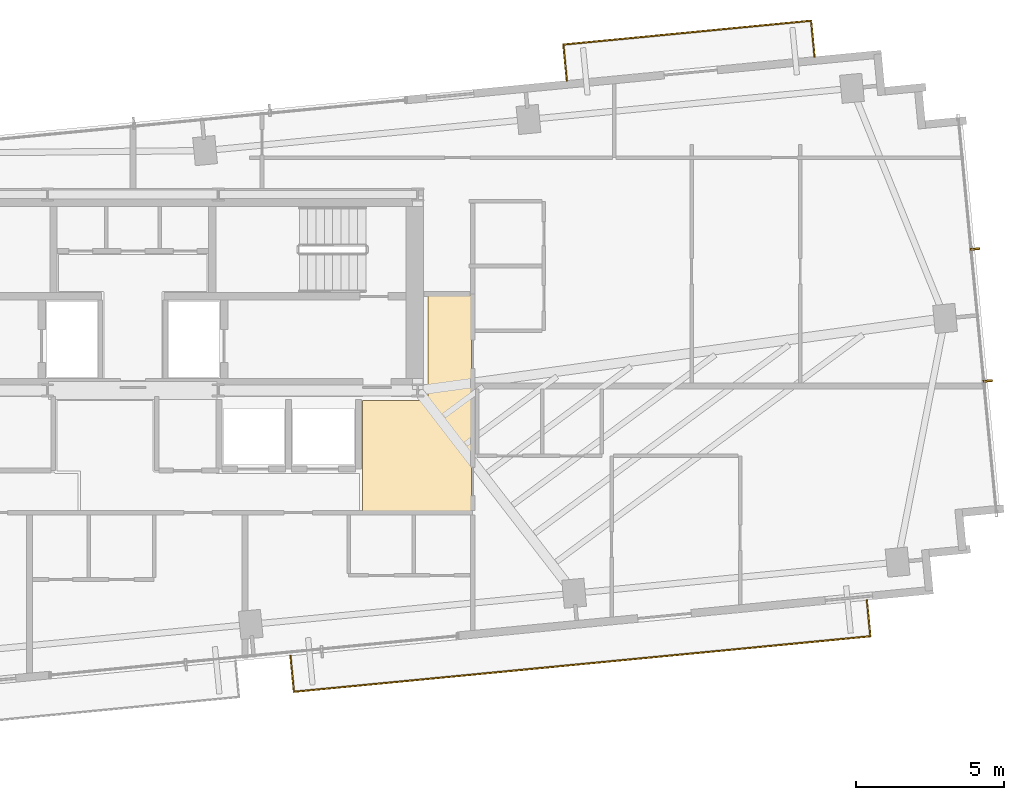
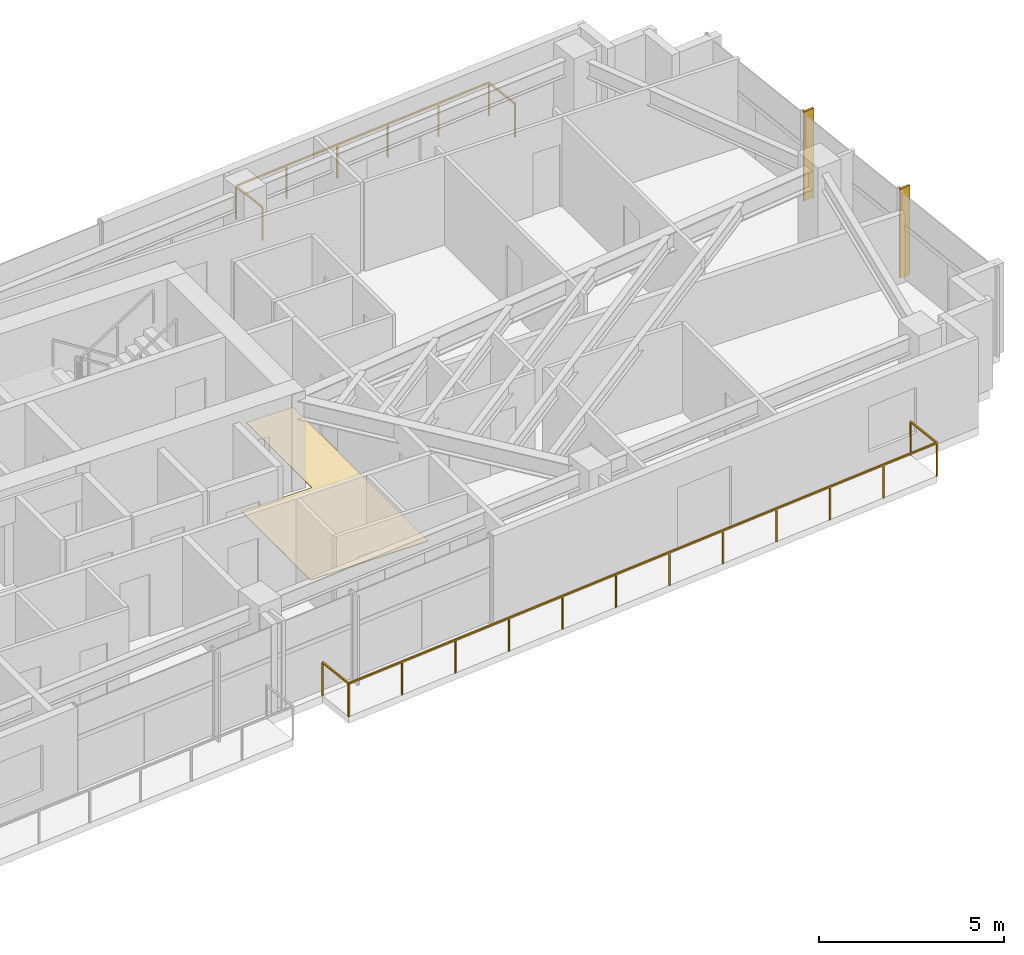
# One storey, part 18 of 18: 2 railings, 2 shading devices, 1 covering.
"""IFC4 building model written with IfcOpenShell, lengths in metres."""

import ifcopenshell
import ifcopenshell.guid

model = None  # the IFC model being written
_history = None  # IfcOwnerHistory: only IFC2X3 demands one
_inside = {}  # id of a spatial element -> (the spatial element, [elements in it])
_under = {}  # id of a project, library or spatial element -> (it, [spatial elements below it])
_declared = {}  # id of a project -> (the project, [libraries it declares])
_typed = {}  # id of a type object -> (the type object, [elements of that type])
_made_of = {}  # id of a material, layer set ... -> (it, [elements and type objects made of it])


def new_model(schema):
    """Start an empty IFC model of exactly this schema.

    Asked for "IFC4X3", IfcOpenShell would pick the latest addendum, in which some entities
    have other attributes; the version numbers below select the first issue.
    IFC2X3 requires an IfcOwnerHistory on every rooted entity: one is made here for all.
    """
    global model, _history
    if schema == "IFC4X3":
        model = ifcopenshell.file(schema_version=(4, 3, 0, 0))
    else:
        model = ifcopenshell.file(schema=schema)
    _inside.clear()
    _under.clear()
    _declared.clear()
    _typed.clear()
    _made_of.clear()
    _history = None
    if model.schema == "IFC2X3":
        org = make("IfcOrganization", Name="unknown")
        user = make(
            "IfcPersonAndOrganization",
            ThePerson=make("IfcPerson", FamilyName="unknown"),
            TheOrganization=org,
        )
        app = make(
            "IfcApplication",
            ApplicationDeveloper=org,
            Version="unknown",
            ApplicationFullName="unknown",
            ApplicationIdentifier="unknown",
        )
        _history = make(
            "IfcOwnerHistory",
            OwningUser=user,
            OwningApplication=app,
            ChangeAction="ADDED",
            CreationDate=0,
        )
    return model


def make(cls, **values):
    """One entity of the class cls with the attributes given. An attribute that is None is left unset."""
    return model.create_entity(
        cls, **{name: value for name, value in values.items() if value is not None}
    )


def rooted(cls, **values):
    """An entity with a GlobalId (a new one), such as an element, a storey or a relation."""
    return make(cls, GlobalId=ifcopenshell.guid.new(), OwnerHistory=_history, **values)


def si_unit(unit_type, name, prefix=None):
    """IfcSIUnit, for example si_unit("LENGTHUNIT", "METRE", prefix="MILLI")."""
    return make("IfcSIUnit", UnitType=unit_type, Prefix=prefix, Name=name)


def assignment(units):
    """IfcUnitAssignment: the units of a project."""
    return None if units is None else make("IfcUnitAssignment", Units=units)


def point(xyz):
    """IfcCartesianPoint."""
    return None if xyz is None else make("IfcCartesianPoint", Coordinates=xyz)


def direction(xyz):
    """IfcDirection."""
    return None if xyz is None else make("IfcDirection", DirectionRatios=xyz)


def frame(location, z_axis=None, x_axis=None):
    """IfcAxis2Placement3D, a coordinate frame: its origin and axes. An axis left out is left unset."""
    return make(
        "IfcAxis2Placement3D",
        Location=point(location),
        Axis=direction(z_axis),
        RefDirection=direction(x_axis),
    )


def frame_2d(location, x_axis=None):
    """IfcAxis2Placement2D, a coordinate frame in the plane: its origin and x axis."""
    return make(
        "IfcAxis2Placement2D", Location=point(location), RefDirection=direction(x_axis)
    )


def origin():
    """The frame at (0, 0, 0) with its axes left unset."""
    return frame((0.0, 0.0, 0.0))


def origin_2d():
    """The frame at (0, 0) in the plane with its x axis left unset."""
    return frame_2d((0.0, 0.0))


def place(relative_to, where):
    """IfcLocalPlacement: puts the frame where relative to a parent placement (None: the world)."""
    return make(
        "IfcLocalPlacement", PlacementRelTo=relative_to, RelativePlacement=where
    )


def context(
    kind, dimensions, precision=None, world=None, true_north=None, identifier=None
):
    """IfcGeometricRepresentationContext, for example the 3D "Model" context."""
    return make(
        "IfcGeometricRepresentationContext",
        ContextIdentifier=identifier,
        ContextType=kind,
        CoordinateSpaceDimension=dimensions,
        Precision=precision,
        WorldCoordinateSystem=world,
        TrueNorth=true_north,
    )


def subcontext(parent, identifier, kind, view, scale=None):
    """IfcGeometricRepresentationSubContext, for example "Body" below "Model"."""
    return make(
        "IfcGeometricRepresentationSubContext",
        ContextIdentifier=identifier,
        ContextType=kind,
        ParentContext=parent,
        TargetScale=scale,
        TargetView=view,
    )


def project(units=None, contexts=None):
    """IfcProject with its units and contexts."""
    return rooted(
        "IfcProject",
        Name="project",
        RepresentationContexts=contexts,
        UnitsInContext=assignment(units),
    )


def spatial(cls, under=None, at=None, **own):
    """A site, building, storey or space (cls), placed at a placement, below another one or the project."""
    s = rooted(cls, ObjectPlacement=at, **own)
    if under is not None:
        _under.setdefault(under.id(), (under, []))[1].append(s)
    return s


def polyline(points):
    """IfcPolyline through the points."""
    return make("IfcPolyline", Points=[point(p) for p in points])


def profile(cls, at=None, kind="AREA", **sizes):
    """A parametric profile (cls). Its sizes go by their IFC names, for example OverallWidth=200.0."""
    return make(cls, ProfileType=kind, Position=at, **sizes)


def rectangle(**sizes):
    """IfcRectangleProfileDef."""
    return profile("IfcRectangleProfileDef", **sizes)


def outline(outer, holes=None, kind="AREA"):
    """IfcArbitraryClosedProfileDef: a profile drawn as a closed curve; with holes, ...WithVoids."""
    if holes is None:
        return make("IfcArbitraryClosedProfileDef", ProfileType=kind, OuterCurve=outer)
    return make(
        "IfcArbitraryProfileDefWithVoids",
        ProfileType=kind,
        OuterCurve=outer,
        InnerCurves=holes,
    )


def extrude(swept, where, along, depth):
    """IfcExtrudedAreaSolid: the profile swept, set in the frame where, extruded along a direction by depth."""
    return make(
        "IfcExtrudedAreaSolid",
        SweptArea=swept,
        Position=where,
        ExtrudedDirection=direction(along),
        Depth=depth,
    )


def shape(context_of_items, identifier, shape_type, items):
    """IfcShapeRepresentation: the items that make up one representation, for example the "Body"."""
    return make(
        "IfcShapeRepresentation",
        ContextOfItems=context_of_items,
        RepresentationIdentifier=identifier,
        RepresentationType=shape_type,
        Items=items,
    )


def source(mapping_origin, context_of_items, identifier, shape_type, items):
    """IfcRepresentationMap: a shape defined once, which mapped items show again and again."""
    return make(
        "IfcRepresentationMap",
        MappingOrigin=mapping_origin,
        MappedRepresentation=shape(context_of_items, identifier, shape_type, items),
    )


def transform(
    local_origin,
    x_axis=None,
    y_axis=None,
    z_axis=None,
    scale=None,
    scale2=None,
    scale3=None,
    uniform=True,
):
    """IfcCartesianTransformationOperator3D, or its non-uniform kind. x_axis, y_axis, z_axis: its Axis1, 2, 3."""
    if uniform:
        return make(
            "IfcCartesianTransformationOperator3D",
            Axis1=direction(x_axis),
            Axis2=direction(y_axis),
            LocalOrigin=point(local_origin),
            Scale=scale,
            Axis3=direction(z_axis),
        )
    return make(
        "IfcCartesianTransformationOperator3DnonUniform",
        Axis1=direction(x_axis),
        Axis2=direction(y_axis),
        LocalOrigin=point(local_origin),
        Scale=scale,
        Axis3=direction(z_axis),
        Scale2=scale2,
        Scale3=scale3,
    )


def mapped(mapping_source, mapping_target):
    """IfcMappedItem: shows the shape of a source again, moved by a transform."""
    return make(
        "IfcMappedItem", MappingSource=mapping_source, MappingTarget=mapping_target
    )


def material(Name=None, Category=None):
    """IfcMaterial."""
    return make("IfcMaterial", Name=Name, Category=Category)


def layer(
    of_material, thickness, ventilated=None, Name=None, Category=None, Priority=None
):
    """IfcMaterialLayer: one layer of a wall or slab, of a material (None: an air gap)."""
    return make(
        "IfcMaterialLayer",
        Material=of_material,
        LayerThickness=thickness,
        IsVentilated=ventilated,
        Name=Name,
        Category=Category,
        Priority=Priority,
    )


def layer_set(layers, Name=None):
    """IfcMaterialLayerSet."""
    return make("IfcMaterialLayerSet", MaterialLayers=layers, LayerSetName=Name)


def made_of(thing, what):
    """Note that an element or type object is made of a material, layer set ...; save() writes the relation."""
    if what is not None:
        _made_of.setdefault(what.id(), (what, []))[1].append(thing)
    return thing


def type_object(cls, material=None, **own):
    """A type object (cls), such as IfcWallType, which elements share."""
    return made_of(rooted(cls, **own), material)


def type_shapes(of_type, sources):
    """Give a type object the sources (RepresentationMaps) that its elements show as mapped items."""
    of_type.RepresentationMaps = sources


def element(
    cls,
    number,
    at=None,
    inside=None,
    cuts=None,
    type_object=None,
    material=None,
    context=None,
    identifier="Body",
    shape_type=None,
    held_by="IfcProductDefinitionShape",
    body=None,
    shapes=None,
    **own,
):
    """One element of the class cls, such as IfcWall. Its Tag is "e" and its number.

    at: its placement. inside: the storey or other place that contains it. cuts: it is an
    opening in that element (IfcRelVoidsElement). A single representation is given by context,
    identifier, shape_type and body (its items); several are given by shapes. held_by: the class
    of the entity that holds the representations. save() writes the other relations.
    """
    e = rooted(cls, Tag="e%d" % number, ObjectPlacement=at, **own)
    if body is not None:
        shapes = [shape(context, identifier, shape_type, body)]
    if shapes is not None:
        e.Representation = make(held_by, Representations=shapes)
    if inside is not None:
        _inside.setdefault(inside.id(), (inside, []))[1].append(e)
    if cuts is not None:
        rooted(
            "IfcRelVoidsElement", RelatingBuildingElement=cuts, RelatedOpeningElement=e
        )
    if type_object is not None:
        _typed.setdefault(type_object.id(), (type_object, []))[1].append(e)
    return made_of(e, material)


def aggregate(whole, parts):
    """IfcRelAggregates: a whole, such as a stair, and the parts it consists of."""
    return rooted("IfcRelAggregates", RelatingObject=whole, RelatedObjects=parts)


def save(model, path):
    """Write the relations noted so far, then the file.

    IfcRelAggregates (storeys below a building ...), IfcRelContainedInSpatialStructure (elements
    in a storey), IfcRelDefinesByType, IfcRelAssociatesMaterial and IfcRelDeclares: one each for
    every whole, place, type object, material and project.
    """
    for whole, parts in _under.values():
        aggregate(whole, parts)
    for where, things in _inside.values():
        rooted(
            "IfcRelContainedInSpatialStructure",
            RelatedElements=things,
            RelatingStructure=where,
        )
    for kind, things in _typed.values():
        rooted("IfcRelDefinesByType", RelatedObjects=things, RelatingType=kind)
    for what, things in _made_of.values():
        rooted("IfcRelAssociatesMaterial", RelatedObjects=things, RelatingMaterial=what)
    for by, libraries in _declared.values():
        rooted("IfcRelDeclares", RelatingContext=by, RelatedDefinitions=libraries)
    model.write(path)


model = new_model("IFC4")

# Units and contexts
model_context = context("Model", 3, precision=1e-05, world=origin(), true_north=direction((0.0, 1.0)))
body_context = subcontext(model_context, "Body", "Model", "MODEL_VIEW")
ifc_project = project(units=[si_unit("LENGTHUNIT", "METRE"), si_unit("AREAUNIT", "SQUARE_METRE"), si_unit("VOLUMEUNIT", "CUBIC_METRE"), si_unit("PLANEANGLEUNIT", "RADIAN"), si_unit("MASSUNIT", "GRAM", prefix="KILO")], contexts=[model_context])

# Site, building, storey
site_placement = place(None, origin())
site = spatial("IfcSite", under=ifc_project, at=site_placement, CompositionType="ELEMENT")
building_placement = place(site_placement, origin())
building = spatial("IfcBuilding", under=site, at=building_placement, Name="Astriad Promenade Condominiums", CompositionType="ELEMENT")
storey_placement = place(building_placement, frame((0.0, 0.0, 192.199951171875)))
storey = spatial("IfcBuildingStorey", under=building, at=storey_placement, Name="L55", CompositionType="ELEMENT", Elevation=192.199951171875)

# Covering
ifc_material_1 = material(Name="Polished Lakefront Terrazzo Flooring")
ifc_layer = layer(ifc_material_1, 0.02001953125)
ifc_layer_set = layer_set([ifc_layer], Name="Polished Lakefront Terrazzo Flooring")
covering_type = type_object("IfcCoveringType", Name="COV-FLOR-TERRAZZO-20", PredefinedType="FLOORING", material=ifc_layer_set)
covering_placement = place(storey_placement, origin())
element("IfcCovering", 1, at=covering_placement, inside=storey, type_object=covering_type, Name="FLR-L55-COR-2", PredefinedType="FLOORING", context=body_context, shape_type="SweptSolid", body=[
    extrude(outline(polyline([(43.72998046875, 14.62353515625), (43.73095703125, 14.62451171875), (43.7333984375, 14.627685546875), (43.7353515625, 14.631103515625), (43.737060546875, 14.634765625), (43.73828125, 14.638427734375), (43.7392578125, 14.64208984375), (43.73974609375, 14.64599609375), (43.739990234375, 14.64990234375), (43.739990234375, 17.06005859375), (45.89990234375, 17.06005859375), (45.90380859375, 17.060302734375), (45.90771484375, 17.060791015625), (45.91162109375, 17.061767578125), (45.915283203125, 17.06298828125), (45.9189453125, 17.064697265625), (45.922119140625, 17.066650390625), (45.92529296875, 17.069091796875), (45.92822265625, 17.07177734375), (45.930908203125, 17.07470703125), (45.933349609375, 17.077880859375), (45.935302734375, 17.0810546875), (45.93701171875, 17.084716796875), (45.938232421875, 17.08837890625), (45.939208984375, 17.09228515625), (45.939697265625, 17.09619140625), (45.93994140625, 17.10009765625), (45.93994140625, 20.610107421875), (47.409912109375, 20.610107421875), (47.409912109375, 13.320068359375), (43.72998046875, 13.320068359375), (43.72998046875, 14.62353515625)])), origin(), (0.0, 0.0, 1.0), 0.02001953125),
])

# Shading devices
ifc_material_2 = material(Name="Anodised aluminium 6063-T6 Black Fin", Category="aluminium")
shading_device_type = type_object("IfcShadingDeviceType", Name="FIN-BLACK-260", PredefinedType="USERDEFINED", material=ifc_material_2)
shared_shape_1 = source(origin(), body_context, "Body", "SweptSolid", [
    extrude(rectangle(XDim=0.06494140625, YDim=0.320068359375, at=origin_2d()), origin(), (0.0, 0.0, 1.0), 2.93994140625),
])
type_shapes(shading_device_type, [shared_shape_1])
for number, where, z_axis, x_axis, name in (
    (2, (64.37841796875, 22.16796875, 0.0), (0.0, 0.0, 1.0), (0.09584575252, -0.995396198367, 0.0), "CW-L55-E-FIN-01"),
    (3, (64.806640625, 17.721923828125, 0.0), (0.0, 0.0, 1.0), (0.09584575252, -0.995396198367, 0.0), "CW-L55-E-FIN-02"),
):
    element("IfcShadingDevice", number, at=place(storey_placement, frame(where, z_axis=z_axis, x_axis=x_axis)), inside=storey, type_object=shading_device_type, Name=name, ObjectType="FIN", PredefinedType="USERDEFINED", context=body_context, shape_type="MappedRepresentation", body=[
        mapped(shared_shape_1, transform((0.0, 0.0, 0.0), scale=1.0)),
    ])

# Railings
ifc_material_3 = material(Name="Laminated Glass and Stainless Steel Balustrade", Category="steel")
railing_type = type_object("IfcRailingType", Name="GRD-BALC-1120", PredefinedType="BALUSTRADE", material=ifc_material_3)
shared_shape_2 = source(origin(), body_context, "Body", "SweptSolid", [
    extrude(rectangle(XDim=0.048095703125, YDim=0.048095703125, at=origin_2d()), frame((0.0, 0.0, 1.09619140625), z_axis=(0.095857307208, -0.99539508571, 0.0), x_axis=(0.99539508571, 0.095857307208, 0.0)), (0.0, 0.0, 1.0), 1.219970703125),
    extrude(rectangle(XDim=0.048095703125, YDim=0.048095703125, at=origin_2d()), frame((0.116943359375, -1.21435546875, 1.09619140625), z_axis=(0.995395863668, 0.095849228446, 0.0), x_axis=(-0.095849228446, 0.995395863668, 0.0)), (0.0, 0.0, 1.0), 19.51611328125),
    extrude(rectangle(XDim=0.048095703125, YDim=0.048095703125, at=origin_2d()), frame((19.543212890625, 0.65625, 1.09619140625), z_axis=(-0.095857307208, 0.99539508571, 0.0), x_axis=(-0.99539508571, -0.095857307208, 0.0)), (0.0, 0.0, 1.0), 1.219970703125),
    extrude(rectangle(XDim=0.0419921875, YDim=0.0419921875, at=origin_2d()), origin(), (0.0, 0.0, 1.0), 1.072021484375),
    extrude(rectangle(XDim=0.0419921875, YDim=0.0419921875, at=origin_2d()), frame((0.116943359375, -1.21435546875, 0.0)), (0.0, 0.0, 1.0), 1.072021484375),
    extrude(rectangle(XDim=0.0419921875, YDim=0.0419921875, at=origin_2d()), frame((1.883056640625, -1.044189453125, 0.0)), (0.0, 0.0, 1.0), 1.072021484375),
    extrude(rectangle(XDim=0.0419921875, YDim=0.0419921875, at=origin_2d()), frame((3.64892578125, -0.874267578125, 0.0)), (0.0, 0.0, 1.0), 1.072021484375),
    extrude(rectangle(XDim=0.0419921875, YDim=0.0419921875, at=origin_2d()), frame((5.4150390625, -0.7041015625, 0.0)), (0.0, 0.0, 1.0), 1.072021484375),
    extrude(rectangle(XDim=0.0419921875, YDim=0.0419921875, at=origin_2d()), frame((7.18115234375, -0.5341796875, 0.0)), (0.0, 0.0, 1.0), 1.072021484375),
    extrude(rectangle(XDim=0.0419921875, YDim=0.0419921875, at=origin_2d()), frame((8.947021484375, -0.364013671875, 0.0)), (0.0, 0.0, 1.0), 1.072021484375),
    extrude(rectangle(XDim=0.0419921875, YDim=0.0419921875, at=origin_2d()), frame((10.713134765625, -0.194091796875, 0.0)), (0.0, 0.0, 1.0), 1.072021484375),
    extrude(rectangle(XDim=0.0419921875, YDim=0.0419921875, at=origin_2d()), frame((12.47900390625, -0.02392578125, 0.0)), (0.0, 0.0, 1.0), 1.072021484375),
    extrude(rectangle(XDim=0.0419921875, YDim=0.0419921875, at=origin_2d()), frame((14.2451171875, 0.14599609375, 0.0)), (0.0, 0.0, 1.0), 1.072021484375),
    extrude(rectangle(XDim=0.0419921875, YDim=0.0419921875, at=origin_2d()), frame((16.01123046875, 0.316162109375, 0.0)), (0.0, 0.0, 1.0), 1.072021484375),
    extrude(rectangle(XDim=0.0419921875, YDim=0.0419921875, at=origin_2d()), frame((17.777099609375, 0.486083984375, 0.0)), (0.0, 0.0, 1.0), 1.072021484375),
    extrude(rectangle(XDim=0.0419921875, YDim=0.0419921875, at=origin_2d()), frame((19.543212890625, 0.65625, 0.0)), (0.0, 0.0, 1.0), 1.072021484375),
    extrude(rectangle(XDim=0.0419921875, YDim=0.0419921875, at=origin_2d()), frame((19.42626953125, 1.87060546875, 0.0)), (0.0, 0.0, 1.0), 1.072021484375),
])
railing_1_placement = place(storey_placement, frame((41.30810546875, 8.46044921875, 0.0)))
element("IfcRailing", 4, at=railing_1_placement, inside=storey, type_object=railing_type, Name="GRD-BALC-L55-SE", PredefinedType="BALUSTRADE", context=body_context, shape_type="MappedRepresentation", body=[
    mapped(shared_shape_2, transform((0.0, 0.0, 0.0), scale=1.0)),
])
shared_shape_3 = source(origin(), body_context, "Body", "SweptSolid", [
    extrude(rectangle(XDim=0.048095703125, YDim=0.048095703125, at=origin_2d()), frame((0.0, 0.0, 1.09619140625), z_axis=(-0.095857307208, 0.99539508571, 0.0), x_axis=(-0.99539508571, -0.095857307208, 0.0)), (0.0, 0.0, 1.0), 1.219970703125),
    extrude(rectangle(XDim=0.048095703125, YDim=0.048095703125, at=origin_2d()), frame((-0.116943359375, 1.21435546875, 1.09619140625), z_axis=(-0.995396168264, -0.095846065151, 0.0), x_axis=(0.095846065151, -0.995396168264, 0.0)), (0.0, 0.0, 1.0), 8.387939453125),
    extrude(rectangle(XDim=0.048095703125, YDim=0.048095703125, at=origin_2d()), frame((-8.46630859375, 0.410400390625, 1.09619140625), z_axis=(0.095857307208, -0.99539508571, 0.0), x_axis=(0.99539508571, 0.095857307208, 0.0)), (0.0, 0.0, 1.0), 1.219970703125),
    extrude(rectangle(XDim=0.0419921875, YDim=0.0419921875, at=origin_2d()), origin(), (0.0, 0.0, 1.0), 1.072021484375),
    extrude(rectangle(XDim=0.0419921875, YDim=0.0419921875, at=origin_2d()), frame((-0.116943359375, 1.21435546875, 0.0)), (0.0, 0.0, 1.0), 1.072021484375),
    extrude(rectangle(XDim=0.0419921875, YDim=0.0419921875, at=origin_2d()), frame((-1.786865234375, 1.053466796875, 0.0)), (0.0, 0.0, 1.0), 1.072021484375),
    extrude(rectangle(XDim=0.0419921875, YDim=0.0419921875, at=origin_2d()), frame((-3.456787109375, 0.892822265625, 0.0)), (0.0, 0.0, 1.0), 1.072021484375),
    extrude(rectangle(XDim=0.0419921875, YDim=0.0419921875, at=origin_2d()), frame((-5.12646484375, 0.73193359375, 0.0)), (0.0, 0.0, 1.0), 1.072021484375),
    extrude(rectangle(XDim=0.0419921875, YDim=0.0419921875, at=origin_2d()), frame((-6.79638671875, 0.5712890625, 0.0)), (0.0, 0.0, 1.0), 1.072021484375),
    extrude(rectangle(XDim=0.0419921875, YDim=0.0419921875, at=origin_2d()), frame((-8.46630859375, 0.410400390625, 0.0)), (0.0, 0.0, 1.0), 1.072021484375),
    extrude(rectangle(XDim=0.0419921875, YDim=0.0419921875, at=origin_2d()), frame((-8.349365234375, -0.803955078125, 0.0)), (0.0, 0.0, 1.0), 1.072021484375),
])
type_shapes(railing_type, [shared_shape_2, shared_shape_3])
railing_2_placement = place(storey_placement, frame((58.970703125, 28.646240234375, 0.0)))
element("IfcRailing", 5, at=railing_2_placement, inside=storey, type_object=railing_type, Name="GRD-BALC-L55-NE", PredefinedType="BALUSTRADE", context=body_context, shape_type="MappedRepresentation", body=[
    mapped(shared_shape_3, transform((0.0, 0.0, 0.0), scale=1.0)),
])

save(model, "model.ifc")
